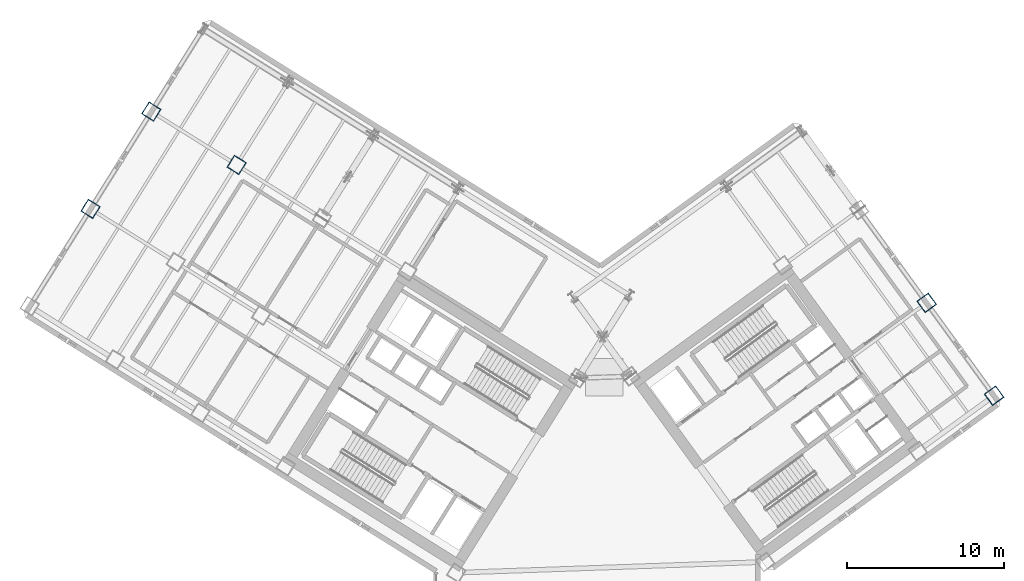
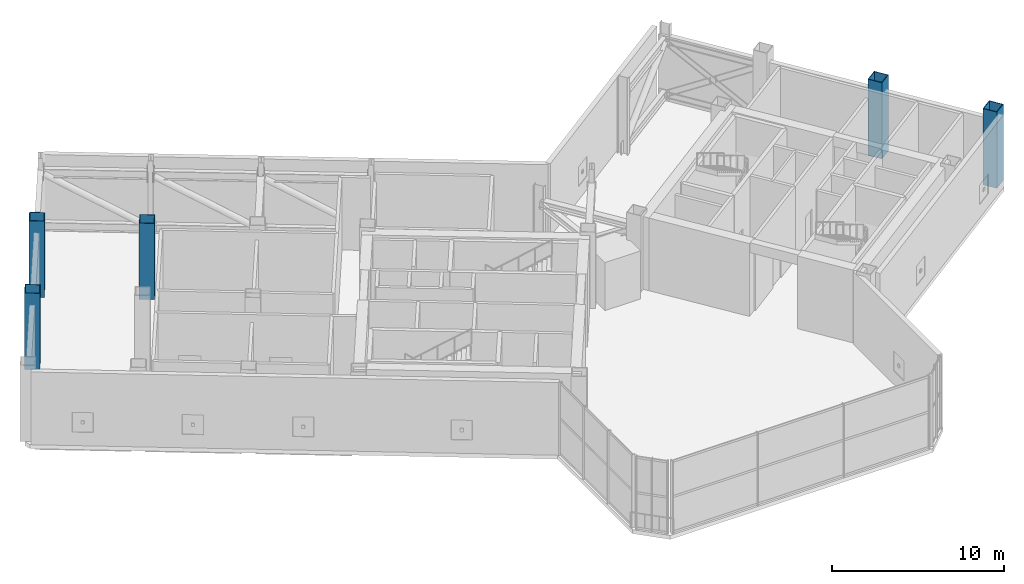
# One storey, part 2 of 21: 5 columns.
"""IFC4 building model written with IfcOpenShell, lengths in metres."""

import ifcopenshell
import ifcopenshell.guid

model = None  # the IFC model being written
_history = None  # IfcOwnerHistory: only IFC2X3 demands one
_inside = {}  # id of a spatial element -> (the spatial element, [elements in it])
_under = {}  # id of a project, library or spatial element -> (it, [spatial elements below it])
_declared = {}  # id of a project -> (the project, [libraries it declares])
_typed = {}  # id of a type object -> (the type object, [elements of that type])
_made_of = {}  # id of a material, layer set ... -> (it, [elements and type objects made of it])


def new_model(schema):
    """Start an empty IFC model of exactly this schema.

    Asked for "IFC4X3", IfcOpenShell would pick the latest addendum, in which some entities
    have other attributes; the version numbers below select the first issue.
    IFC2X3 requires an IfcOwnerHistory on every rooted entity: one is made here for all.
    """
    global model, _history
    if schema == "IFC4X3":
        model = ifcopenshell.file(schema_version=(4, 3, 0, 0))
    else:
        model = ifcopenshell.file(schema=schema)
    _inside.clear()
    _under.clear()
    _declared.clear()
    _typed.clear()
    _made_of.clear()
    _history = None
    if model.schema == "IFC2X3":
        org = make("IfcOrganization", Name="unknown")
        user = make(
            "IfcPersonAndOrganization",
            ThePerson=make("IfcPerson", FamilyName="unknown"),
            TheOrganization=org,
        )
        app = make(
            "IfcApplication",
            ApplicationDeveloper=org,
            Version="unknown",
            ApplicationFullName="unknown",
            ApplicationIdentifier="unknown",
        )
        _history = make(
            "IfcOwnerHistory",
            OwningUser=user,
            OwningApplication=app,
            ChangeAction="ADDED",
            CreationDate=0,
        )
    return model


def make(cls, **values):
    """One entity of the class cls with the attributes given. An attribute that is None is left unset."""
    return model.create_entity(
        cls, **{name: value for name, value in values.items() if value is not None}
    )


def rooted(cls, **values):
    """An entity with a GlobalId (a new one), such as an element, a storey or a relation."""
    return make(cls, GlobalId=ifcopenshell.guid.new(), OwnerHistory=_history, **values)


def si_unit(unit_type, name, prefix=None):
    """IfcSIUnit, for example si_unit("LENGTHUNIT", "METRE", prefix="MILLI")."""
    return make("IfcSIUnit", UnitType=unit_type, Prefix=prefix, Name=name)


def assignment(units):
    """IfcUnitAssignment: the units of a project."""
    return None if units is None else make("IfcUnitAssignment", Units=units)


def point(xyz):
    """IfcCartesianPoint."""
    return None if xyz is None else make("IfcCartesianPoint", Coordinates=xyz)


def direction(xyz):
    """IfcDirection."""
    return None if xyz is None else make("IfcDirection", DirectionRatios=xyz)


def frame(location, z_axis=None, x_axis=None):
    """IfcAxis2Placement3D, a coordinate frame: its origin and axes. An axis left out is left unset."""
    return make(
        "IfcAxis2Placement3D",
        Location=point(location),
        Axis=direction(z_axis),
        RefDirection=direction(x_axis),
    )


def frame_2d(location, x_axis=None):
    """IfcAxis2Placement2D, a coordinate frame in the plane: its origin and x axis."""
    return make(
        "IfcAxis2Placement2D", Location=point(location), RefDirection=direction(x_axis)
    )


def origin():
    """The frame at (0, 0, 0) with its axes left unset."""
    return frame((0.0, 0.0, 0.0))


def origin_2d():
    """The frame at (0, 0) in the plane with its x axis left unset."""
    return frame_2d((0.0, 0.0))


def place(relative_to, where):
    """IfcLocalPlacement: puts the frame where relative to a parent placement (None: the world)."""
    return make(
        "IfcLocalPlacement", PlacementRelTo=relative_to, RelativePlacement=where
    )


def context(
    kind, dimensions, precision=None, world=None, true_north=None, identifier=None
):
    """IfcGeometricRepresentationContext, for example the 3D "Model" context."""
    return make(
        "IfcGeometricRepresentationContext",
        ContextIdentifier=identifier,
        ContextType=kind,
        CoordinateSpaceDimension=dimensions,
        Precision=precision,
        WorldCoordinateSystem=world,
        TrueNorth=true_north,
    )


def subcontext(parent, identifier, kind, view, scale=None):
    """IfcGeometricRepresentationSubContext, for example "Body" below "Model"."""
    return make(
        "IfcGeometricRepresentationSubContext",
        ContextIdentifier=identifier,
        ContextType=kind,
        ParentContext=parent,
        TargetScale=scale,
        TargetView=view,
    )


def project(units=None, contexts=None):
    """IfcProject with its units and contexts."""
    return rooted(
        "IfcProject",
        Name="project",
        RepresentationContexts=contexts,
        UnitsInContext=assignment(units),
    )


def spatial(cls, under=None, at=None, **own):
    """A site, building, storey or space (cls), placed at a placement, below another one or the project."""
    s = rooted(cls, ObjectPlacement=at, **own)
    if under is not None:
        _under.setdefault(under.id(), (under, []))[1].append(s)
    return s


def profile(cls, at=None, kind="AREA", **sizes):
    """A parametric profile (cls). Its sizes go by their IFC names, for example OverallWidth=200.0."""
    return make(cls, ProfileType=kind, Position=at, **sizes)


def hollow_rectangle(**sizes):
    """IfcRectangleHollowProfileDef."""
    return profile("IfcRectangleHollowProfileDef", **sizes)


def extrude(swept, where, along, depth):
    """IfcExtrudedAreaSolid: the profile swept, set in the frame where, extruded along a direction by depth."""
    return make(
        "IfcExtrudedAreaSolid",
        SweptArea=swept,
        Position=where,
        ExtrudedDirection=direction(along),
        Depth=depth,
    )


def shape(context_of_items, identifier, shape_type, items):
    """IfcShapeRepresentation: the items that make up one representation, for example the "Body"."""
    return make(
        "IfcShapeRepresentation",
        ContextOfItems=context_of_items,
        RepresentationIdentifier=identifier,
        RepresentationType=shape_type,
        Items=items,
    )


def source(mapping_origin, context_of_items, identifier, shape_type, items):
    """IfcRepresentationMap: a shape defined once, which mapped items show again and again."""
    return make(
        "IfcRepresentationMap",
        MappingOrigin=mapping_origin,
        MappedRepresentation=shape(context_of_items, identifier, shape_type, items),
    )


def transform(
    local_origin,
    x_axis=None,
    y_axis=None,
    z_axis=None,
    scale=None,
    scale2=None,
    scale3=None,
    uniform=True,
):
    """IfcCartesianTransformationOperator3D, or its non-uniform kind. x_axis, y_axis, z_axis: its Axis1, 2, 3."""
    if uniform:
        return make(
            "IfcCartesianTransformationOperator3D",
            Axis1=direction(x_axis),
            Axis2=direction(y_axis),
            LocalOrigin=point(local_origin),
            Scale=scale,
            Axis3=direction(z_axis),
        )
    return make(
        "IfcCartesianTransformationOperator3DnonUniform",
        Axis1=direction(x_axis),
        Axis2=direction(y_axis),
        LocalOrigin=point(local_origin),
        Scale=scale,
        Axis3=direction(z_axis),
        Scale2=scale2,
        Scale3=scale3,
    )


def mapped(mapping_source, mapping_target):
    """IfcMappedItem: shows the shape of a source again, moved by a transform."""
    return make(
        "IfcMappedItem", MappingSource=mapping_source, MappingTarget=mapping_target
    )


def material(Name=None, Category=None):
    """IfcMaterial."""
    return make("IfcMaterial", Name=Name, Category=Category)


def material_profile(
    of_material, cross_section, Name=None, Category=None, Priority=None
):
    """IfcMaterialProfile: a cross section and its material."""
    return make(
        "IfcMaterialProfile",
        Name=Name,
        Material=of_material,
        Profile=cross_section,
        Priority=Priority,
        Category=Category,
    )


def profile_set(profiles, Name=None, composite=None):
    """IfcMaterialProfileSet."""
    return make(
        "IfcMaterialProfileSet",
        Name=Name,
        MaterialProfiles=profiles,
        CompositeProfile=composite,
    )


def made_of(thing, what):
    """Note that an element or type object is made of a material, layer set ...; save() writes the relation."""
    if what is not None:
        _made_of.setdefault(what.id(), (what, []))[1].append(thing)
    return thing


def type_object(cls, material=None, **own):
    """A type object (cls), such as IfcWallType, which elements share."""
    return made_of(rooted(cls, **own), material)


def element(
    cls,
    number,
    at=None,
    inside=None,
    cuts=None,
    type_object=None,
    material=None,
    context=None,
    identifier="Body",
    shape_type=None,
    held_by="IfcProductDefinitionShape",
    body=None,
    shapes=None,
    **own,
):
    """One element of the class cls, such as IfcWall. Its Tag is "e" and its number.

    at: its placement. inside: the storey or other place that contains it. cuts: it is an
    opening in that element (IfcRelVoidsElement). A single representation is given by context,
    identifier, shape_type and body (its items); several are given by shapes. held_by: the class
    of the entity that holds the representations. save() writes the other relations.
    """
    e = rooted(cls, Tag="e%d" % number, ObjectPlacement=at, **own)
    if body is not None:
        shapes = [shape(context, identifier, shape_type, body)]
    if shapes is not None:
        e.Representation = make(held_by, Representations=shapes)
    if inside is not None:
        _inside.setdefault(inside.id(), (inside, []))[1].append(e)
    if cuts is not None:
        rooted(
            "IfcRelVoidsElement", RelatingBuildingElement=cuts, RelatedOpeningElement=e
        )
    if type_object is not None:
        _typed.setdefault(type_object.id(), (type_object, []))[1].append(e)
    return made_of(e, material)


def aggregate(whole, parts):
    """IfcRelAggregates: a whole, such as a stair, and the parts it consists of."""
    return rooted("IfcRelAggregates", RelatingObject=whole, RelatedObjects=parts)


def save(model, path):
    """Write the relations noted so far, then the file.

    IfcRelAggregates (storeys below a building ...), IfcRelContainedInSpatialStructure (elements
    in a storey), IfcRelDefinesByType, IfcRelAssociatesMaterial and IfcRelDeclares: one each for
    every whole, place, type object, material and project.
    """
    for whole, parts in _under.values():
        aggregate(whole, parts)
    for where, things in _inside.values():
        rooted(
            "IfcRelContainedInSpatialStructure",
            RelatedElements=things,
            RelatingStructure=where,
        )
    for kind, things in _typed.values():
        rooted("IfcRelDefinesByType", RelatedObjects=things, RelatingType=kind)
    for what, things in _made_of.values():
        rooted("IfcRelAssociatesMaterial", RelatedObjects=things, RelatingMaterial=what)
    for by, libraries in _declared.values():
        rooted("IfcRelDeclares", RelatingContext=by, RelatedDefinitions=libraries)
    model.write(path)


model = new_model("IFC4")

# Units and contexts
model_context = context("Model", 3, precision=1e-05, world=origin(), true_north=direction((0.0, 1.0)))
body_context = subcontext(model_context, "Body", "Model", "MODEL_VIEW")
ifc_project = project(units=[si_unit("LENGTHUNIT", "METRE"), si_unit("AREAUNIT", "SQUARE_METRE"), si_unit("VOLUMEUNIT", "CUBIC_METRE"), si_unit("PLANEANGLEUNIT", "RADIAN"), si_unit("MASSUNIT", "GRAM", prefix="KILO")], contexts=[model_context])

# Site, building, storey
site_placement = place(None, origin())
site = spatial("IfcSite", under=ifc_project, at=site_placement, CompositionType="ELEMENT")
building_placement = place(site_placement, origin())
building = spatial("IfcBuilding", under=site, at=building_placement, Name="Tlacorven Tower", CompositionType="ELEMENT")
storey_placement = place(building_placement, frame((0.0, 0.0, 84.60009765625)))
storey = spatial("IfcBuildingStorey", under=building, at=storey_placement, Name="L21", CompositionType="ELEMENT", Elevation=84.60009765625)

# Columns
ifc_material = material(Name="Steel S460M", Category="steel")
ifc_material_profile = material_profile(ifc_material, hollow_rectangle(XDim=0.89990234375, YDim=0.89990234375, WallThickness=0.035888671875, at=origin_2d()), Name="BOX 900X900X36")
ifc_profile_set = profile_set([ifc_material_profile], Name="Steel S460M")
column_type = type_object("IfcColumnType", Name="COL-TWR-S2", PredefinedType="COLUMN", material=ifc_profile_set)
shared_shape = source(origin(), body_context, "Body", "SweptSolid", [
    extrude(hollow_rectangle(XDim=0.89990234375, YDim=0.89990234375, WallThickness=0.035888671875, at=origin_2d()), origin(), (0.0, 0.0, 1.0), 5.39990234375),
])
for number, where, z_axis, x_axis, name in (
    (1, (19.072998046875, 38.034423828125, 0.0), (0.0, 0.0, 1.0), (-0.848048096156, 0.529919264233, 0.0), "L21 column COL-L21-W5-2"),
    (2, (13.6455078125, 41.42578125, 0.0), (0.0, 0.0, 1.0), (-0.848048096156, 0.529919264233, 0.0), "L21 column COL-L21-W6-2"),
    (3, (9.777099609375, 35.235107421875, 0.0), (0.0, 0.0, 1.0), (-0.848048096156, 0.529919264233, 0.0), "L21 column COL-L21-W6-3"),
    (4, (67.267822265625, 23.353515625, 0.0), (0.0, 0.0, 1.0), (0.809016994375, 0.587785252292, 0.0), "L21 column COL-L21-E4-1"),
    (5, (62.976806640625, 29.25927734375, 0.0), (0.0, 0.0, 1.0), (0.809016994375, 0.587785252292, 0.0), "L21 column COL-L21-E4-2"),
):
    element("IfcColumn", number, at=place(storey_placement, frame(where, z_axis=z_axis, x_axis=x_axis)), inside=storey, type_object=column_type, Name=name, PredefinedType="COLUMN", context=body_context, shape_type="MappedRepresentation", body=[
        mapped(shared_shape, transform((0.0, 0.0, 0.0), scale=1.0)),
    ])

save(model, "model.ifc")
